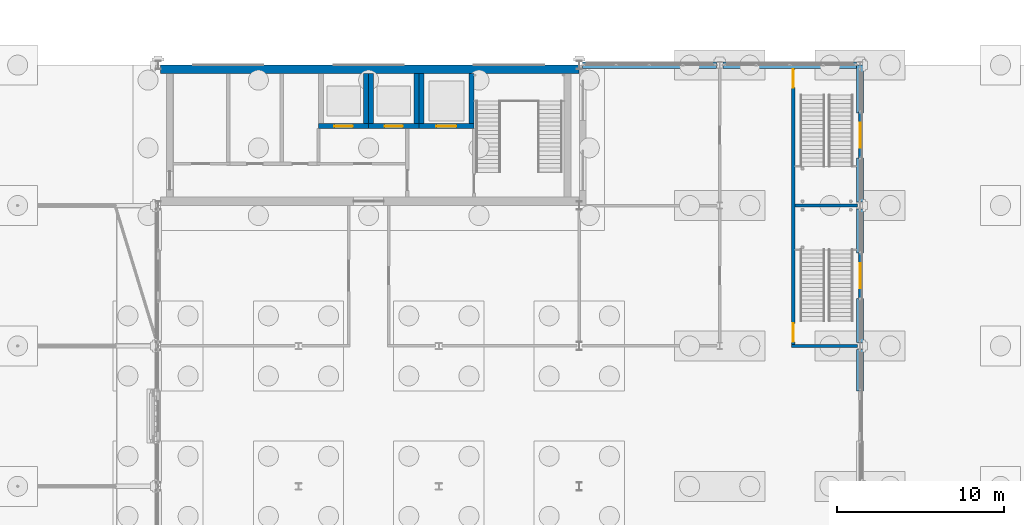
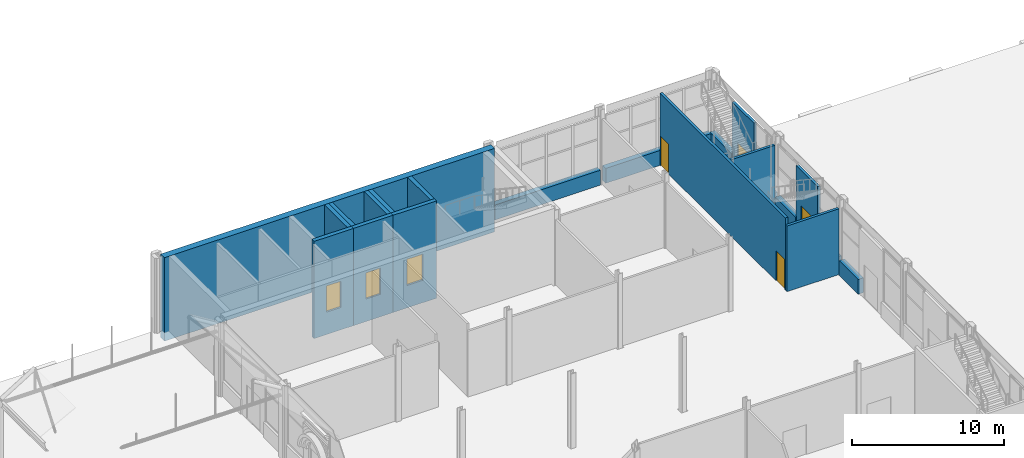
# One storey, part 191 of 212: 21 walls, 7 doors, 7 openings.
"""IFC4 building model written with IfcOpenShell, lengths in metres."""

from ifc_helpers import new_model, si_unit, direction, frame, frame_2d, origin, place, context, subcontext, project, spatial, rectangle, extrude, material, layer, layer_set, type_object, element, fill, save


model = new_model("IFC4")

# Units and contexts
model_context = context("Model", 3, precision=1e-05, world=origin(), true_north=direction((0.0, 1.0)))
body_context = subcontext(model_context, "Body", "Model", "MODEL_VIEW")
ifc_project = project(units=[si_unit("LENGTHUNIT", "METRE"), si_unit("AREAUNIT", "SQUARE_METRE"), si_unit("VOLUMEUNIT", "CUBIC_METRE"), si_unit("PLANEANGLEUNIT", "RADIAN"), si_unit("MASSUNIT", "GRAM", prefix="KILO")], contexts=[model_context])

# Site, building, storey
site_placement = place(None, origin())
site = spatial("IfcSite", under=ifc_project, at=site_placement, CompositionType="ELEMENT")
building_placement = place(site_placement, origin())
building = spatial("IfcBuilding", under=site, at=building_placement, Name="Catenary Quay Ferry Terminal", CompositionType="ELEMENT")
storey_placement = place(building_placement, origin())
storey = spatial("IfcBuildingStorey", under=building, at=storey_placement, Name="L00", CompositionType="ELEMENT", Elevation=0.0)

# Walls
ifc_material_1 = material(Name="Concrete C50/60", Category="concrete")
ifc_layer_1 = layer(ifc_material_1, 0.5)
ifc_layer_set_1 = layer_set([ifc_layer_1], Name="Core wall 500")
wall_type_1 = type_object("IfcWallType", Name="Core wall 500", PredefinedType="SHEAR", material=ifc_layer_set_1)
wall_1_placement = place(storey_placement, frame((25.35009765625, 209.75, -0.699951171875), z_axis=(0.0, 0.0, 1.0), x_axis=(1.0, 0.0, 0.0)))
element("IfcWall", 1, at=wall_1_placement, inside=storey, type_object=wall_type_1, Name="Core wall N2", PredefinedType="SHEAR", context=body_context, shape_type="SweptSolid", body=[
    extrude(rectangle(XDim=25.04296875, YDim=0.5, at=frame_2d((12.521484375, 0.0))), origin(), (0.0, 0.0, 1.0), 6.699951171875),
])
ifc_material_2 = material(Name="Masonry and insulation", Category="masonry")
ifc_layer_2 = layer(ifc_material_2, 0.39990234375)
ifc_layer_set_2 = layer_set([ifc_layer_2], Name="EW14")
wall_type_2 = type_object("IfcWallType", Name="EW14", PredefinedType="SOLIDWALL", material=ifc_layer_set_2)
wall_2_placement = place(storey_placement, frame((67.199951171875, 190.5, 0.0), z_axis=(0.0, 0.0, 1.0), x_axis=(0.0, 1.0, 0.0)))
element("IfcWall", 2, at=wall_2_placement, inside=storey, type_object=wall_type_2, Name="Plinth wing wall WL42", PredefinedType="SOLIDWALL", context=body_context, shape_type="SweptSolid", body=[
    extrude(rectangle(XDim=2.5, YDim=0.39990234375, at=frame_2d((1.25, 0.0))), origin(), (0.0, 0.0, 1.0), 1.199951171875),
])
wall_3_placement = place(storey_placement, frame((67.199951171875, 193.39990234375, 0.0), z_axis=(0.0, 0.0, 1.0), x_axis=(0.0, 1.0, 0.0)))
element("IfcWall", 3, at=wall_3_placement, inside=storey, type_object=wall_type_2, Name="Plinth wing wall WL44", PredefinedType="SOLIDWALL", context=body_context, shape_type="SweptSolid", body=[
    extrude(rectangle(XDim=2.650146484375, YDim=0.39990234375, at=frame_2d((1.3251953125, 0.0))), origin(), (0.0, 0.0, 1.0), 1.199951171875),
])
for number, where, z_axis, x_axis, name in (
    (4, (67.199951171875, 198.75, 0.0), (0.0, 0.0, 1.0), (0.0, 1.0, 0.0), "Plinth wing wall WL45"),
    (5, (67.199951171875, 201.800048828125, 0.0), (0.0, 0.0, 1.0), (0.0, 1.0, 0.0), "Plinth wing wall WL47"),
):
    element("IfcWall", number, at=place(storey_placement, frame(where, z_axis=z_axis, x_axis=x_axis)), inside=storey, type_object=wall_type_2, Name=name, PredefinedType="SOLIDWALL", context=body_context, shape_type="SweptSolid", body=[
        extrude(rectangle(XDim=2.64990234375, YDim=0.39990234375, at=frame_2d((1.324951171875, 0.0))), origin(), (0.0, 0.0, 1.0), 1.199951171875),
    ])
wall_4_placement = place(storey_placement, frame((67.199951171875, 207.14990234375, 0.0), z_axis=(0.0, 0.0, 1.0), x_axis=(0.0, 1.0, 0.0)))
element("IfcWall", 6, at=wall_4_placement, inside=storey, type_object=wall_type_2, Name="Plinth wing wall WL48", PredefinedType="SOLIDWALL", context=body_context, shape_type="SweptSolid", body=[
    extrude(rectangle(XDim=2.85009765625, YDim=0.39990234375, at=frame_2d((1.425048828125, 0.0))), origin(), (0.0, 0.0, 1.0), 1.199951171875),
])
for number, where, z_axis, x_axis, name in (
    (7, (50.60009765625, 210.0, 0.0), (0.0, 0.0, 1.0), (1.0, 0.0, 0.0), "Plinth wing wall WL50"),
    (8, (59.0, 210.0, 0.0), (0.0, 0.0, 1.0), (1.0, 0.0, 0.0), "Plinth wing wall WL51"),
):
    element("IfcWall", number, at=place(storey_placement, frame(where, z_axis=z_axis, x_axis=x_axis)), inside=storey, type_object=wall_type_2, Name=name, PredefinedType="SOLIDWALL", context=body_context, shape_type="SweptSolid", body=[
        extrude(rectangle(XDim=8.0, YDim=0.39990234375, at=frame_2d((4.0, 0.0))), origin(), (0.0, 0.0, 1.0), 1.199951171875),
    ])

# Wall, opening, door
ifc_material_3 = material(Name="Masonry and insulation", Category="masonry")
ifc_layer_3 = layer(ifc_material_3, 0.199951171875)
ifc_layer_set_3 = layer_set([ifc_layer_3], Name="EW6")
wall_type_3 = type_object("IfcWallType", Name="EW6", PredefinedType="SOLIDWALL", material=ifc_layer_set_3)
wall_5_placement = place(storey_placement, frame((67.199951171875, 195.985107421875, 0.0), z_axis=(0.0, 0.0, 1.0), x_axis=(0.0, 1.0, 0.0)))
wall_5 = element("IfcWall", 9, at=wall_5_placement, inside=storey, type_object=wall_type_3, Name="Front wing wall WL46", PredefinedType="SOLIDWALL", context=body_context, shape_type="SweptSolid", body=[
    extrude(rectangle(XDim=2.829833984375, YDim=0.199951171875, at=frame_2d((1.4150390625, 0.0))), origin(), (0.0, 0.0, 1.0), 5.271728515625),
])
opening_1_placement = place(wall_5_placement, frame((0.6650390625, 0.0, 0.0)))
opening_1 = element("IfcOpeningElement", 10, at=opening_1_placement, cuts=wall_5, Name="Opening D18", PredefinedType="OPENING", context=body_context, shape_type="SweptSolid", body=[
    extrude(rectangle(XDim=1.5, YDim=2.39990234375, at=frame_2d((0.75, 1.199951171875))), frame((0.0, 0.10986328125, 0.0), z_axis=(0.0, -1.0, 0.0), x_axis=(1.0, 0.0, 0.0)), (0.0, 0.0, 1.0), 0.219970703125),
])
ifc_material_4 = material(Name="Steel", Category="steel")
door_type_1 = type_object("IfcDoorType", Name="DXE1500", OperationType="SINGLE_SWING_LEFT", PredefinedType="DOOR", material=ifc_material_4)
door_1_placement = place(opening_1_placement, frame((1.5, 0.0, 0.0), z_axis=(0.0, 0.0, 1.0), x_axis=(-1.0, 0.0, 0.0)))
door_1 = element("IfcDoor", 11, at=door_1_placement, inside=storey, type_object=door_type_1, Name="Front wing door D18", OperationType="SINGLE_SWING_RIGHT", OverallHeight=2.39990234375, OverallWidth=1.5, PredefinedType="DOOR", context=body_context, shape_type="SweptSolid", body=[
    extrude(rectangle(XDim=1.5, YDim=2.39990234375, at=frame_2d((0.75, 1.199951171875))), frame((0.0, 0.02490234375, 0.0), z_axis=(0.0, -1.0, 0.0), x_axis=(1.0, 0.0, 0.0)), (0.0, 0.0, 1.0), 0.050048828125),
])
fill(opening_1, door_1)

wall_6_placement = place(storey_placement, frame((67.199951171875, 204.385009765625, 0.0), z_axis=(0.0, 0.0, 1.0), x_axis=(0.0, 1.0, 0.0)))
wall_6 = element("IfcWall", 12, at=wall_6_placement, inside=storey, type_object=wall_type_3, Name="Front wing wall WL49", PredefinedType="SOLIDWALL", context=body_context, shape_type="SweptSolid", body=[
    extrude(rectangle(XDim=2.830078125, YDim=0.199951171875, at=frame_2d((1.4150390625, 0.0))), origin(), (0.0, 0.0, 1.0), 5.271728515625),
])
opening_2_placement = place(wall_6_placement, frame((0.6650390625, 0.0, 0.0)))
opening_2 = element("IfcOpeningElement", 13, at=opening_2_placement, cuts=wall_6, Name="Opening D19", PredefinedType="OPENING", context=body_context, shape_type="SweptSolid", body=[
    extrude(rectangle(XDim=1.5, YDim=2.39990234375, at=frame_2d((0.75, 1.199951171875))), frame((0.0, 0.10986328125, 0.0), z_axis=(0.0, -1.0, 0.0), x_axis=(1.0, 0.0, 0.0)), (0.0, 0.0, 1.0), 0.219970703125),
])
door_2_placement = place(opening_2_placement, frame((1.5, 0.0, 0.0), z_axis=(0.0, 0.0, 1.0), x_axis=(-1.0, 0.0, 0.0)))
door_2 = element("IfcDoor", 14, at=door_2_placement, inside=storey, type_object=door_type_1, Name="Front wing door D19", OperationType="SINGLE_SWING_RIGHT", OverallHeight=2.39990234375, OverallWidth=1.5, PredefinedType="DOOR", context=body_context, shape_type="SweptSolid", body=[
    extrude(rectangle(XDim=1.5, YDim=2.39990234375, at=frame_2d((0.75, 1.199951171875))), frame((0.0, 0.02490234375, 0.0), z_axis=(0.0, -1.0, 0.0), x_axis=(1.0, 0.0, 0.0)), (0.0, 0.0, 1.0), 0.050048828125),
])
fill(opening_2, door_2)

# Walls
ifc_material_5 = material(Name="Concrete C35/45", Category="concrete")
ifc_layer_4 = layer(ifc_material_5, 0.199951171875)
ifc_layer_set_4 = layer_set([ifc_layer_4], Name="IP12")
wall_type_4 = type_object("IfcWallType", Name="IP12", PredefinedType="PARTITIONING", material=ifc_layer_set_4)
wall_7_placement = place(storey_placement, frame((63.10009765625, 193.199951171875, 0.0), z_axis=(0.0, 0.0, 1.0), x_axis=(1.0, 0.0, 0.0)))
element("IfcWall", 15, at=wall_7_placement, inside=storey, type_object=wall_type_4, Name="Stair wall L00 59", PredefinedType="PARTITIONING", context=body_context, shape_type="SweptSolid", body=[
    extrude(rectangle(XDim=3.949951171875, YDim=0.199951171875, at=frame_2d((1.97509765625, 0.0))), origin(), (0.0, 0.0, 1.0), 5.271728515625),
])
wall_8_placement = place(storey_placement, frame((63.300048828125, 201.60009765625, 0.0), z_axis=(0.0, 0.0, 1.0), x_axis=(1.0, 0.0, 0.0)))
element("IfcWall", 16, at=wall_8_placement, inside=storey, type_object=wall_type_4, Name="Stair wall L00 61", PredefinedType="PARTITIONING", context=body_context, shape_type="SweptSolid", body=[
    extrude(rectangle(XDim=3.75, YDim=0.199951171875, at=frame_2d((1.875, 0.0))), origin(), (0.0, 0.0, 1.0), 5.271728515625),
])

# Wall, openings, doors
wall_9_placement = place(storey_placement, frame((63.199951171875, 193.300048828125, 0.0), z_axis=(0.0, 0.0, 1.0), x_axis=(0.0, 1.0, 0.0)))
wall_9 = element("IfcWall", 17, at=wall_9_placement, inside=storey, type_object=wall_type_4, Name="Stair wall L00 106", PredefinedType="PARTITIONING", context=body_context, shape_type="SweptSolid", body=[
    extrude(rectangle(XDim=16.5, YDim=0.199951171875, at=frame_2d((8.25, 0.0))), origin(), (0.0, 0.0, 1.0), 5.800048828125),
])
opening_3_placement = place(wall_9_placement, frame((0.14990234375, 0.0, 0.0)))
opening_3 = element("IfcOpeningElement", 18, at=opening_3_placement, cuts=wall_9, Name="Opening D101", PredefinedType="OPENING", context=body_context, shape_type="SweptSolid", body=[
    extrude(rectangle(XDim=1.10009765625, YDim=2.39990234375, at=frame_2d((0.550048828125, 1.199951171875))), frame((0.0, 0.10986328125, 0.0), z_axis=(0.0, -1.0, 0.0), x_axis=(1.0, 0.0, 0.0)), (0.0, 0.0, 1.0), 0.219970703125),
])
opening_4_placement = place(wall_9_placement, frame((15.35009765625, 0.0, 0.0)))
opening_4 = element("IfcOpeningElement", 19, at=opening_4_placement, cuts=wall_9, Name="Opening D102", PredefinedType="OPENING", context=body_context, shape_type="SweptSolid", body=[
    extrude(rectangle(XDim=1.10009765625, YDim=2.39990234375, at=frame_2d((0.550048828125, 1.199951171875))), frame((0.0, 0.10986328125, 0.0), z_axis=(0.0, -1.0, 0.0), x_axis=(1.0, 0.0, 0.0)), (0.0, 0.0, 1.0), 0.219970703125),
])
ifc_material_6 = material(Name="Steel", Category="steel")
door_type_2 = type_object("IfcDoorType", Name="DI4", OperationType="SINGLE_SWING_LEFT", PredefinedType="DOOR", material=ifc_material_6)
door_3_placement = place(opening_3_placement, frame((1.10009765625, 0.0, 0.0), z_axis=(0.0, 0.0, 1.0), x_axis=(-1.0, 0.0, 0.0)))
door_3 = element("IfcDoor", 20, at=door_3_placement, inside=storey, type_object=door_type_2, Name="Stair HS4 to East Passage", OperationType="SINGLE_SWING_RIGHT", OverallHeight=2.39990234375, OverallWidth=1.10009765625, PredefinedType="DOOR", context=body_context, shape_type="SweptSolid", body=[
    extrude(rectangle(XDim=1.10009765625, YDim=2.39990234375, at=frame_2d((0.550048828125, 1.199951171875))), frame((0.0, 0.02490234375, 0.0), z_axis=(0.0, -1.0, 0.0), x_axis=(1.0, 0.0, 0.0)), (0.0, 0.0, 1.0), 0.050048828125),
])
fill(opening_3, door_3)
door_4_placement = place(opening_4_placement, frame((1.10009765625, 0.0, 0.0), z_axis=(0.0, 0.0, 1.0), x_axis=(-1.0, 0.0, 0.0)))
door_4 = element("IfcDoor", 21, at=door_4_placement, inside=storey, type_object=door_type_2, Name="Stair HS5 to East Passage", OperationType="SINGLE_SWING_LEFT", OverallHeight=2.39990234375, OverallWidth=1.10009765625, PredefinedType="DOOR", context=body_context, shape_type="SweptSolid", body=[
    extrude(rectangle(XDim=1.10009765625, YDim=2.39990234375, at=frame_2d((0.550048828125, 1.199951171875))), frame((0.0, 0.02490234375, 0.0), z_axis=(0.0, -1.0, 0.0), x_axis=(1.0, 0.0, 0.0)), (0.0, 0.0, 1.0), 0.050048828125),
])
fill(opening_4, door_4)

# Wall, opening, door
ifc_material_7 = material(Name="Concrete C50/60", Category="concrete")
ifc_layer_5 = layer(ifc_material_7, 0.300048828125)
ifc_layer_set_5 = layer_set([ifc_layer_5], Name="Shaft wall 300")
wall_type_5 = type_object("IfcWallType", Name="Shaft wall 300", PredefinedType="SHEAR", material=ifc_layer_set_5)
wall_10_placement = place(storey_placement, frame((40.800048828125, 206.35009765625, -1.800048828125), z_axis=(0.0, 0.0, 1.0), x_axis=(1.0, 0.0, 0.0)))
wall_10 = element("IfcWall", 22, at=wall_10_placement, inside=storey, type_object=wall_type_5, Name="Shaft wall FL2 S", PredefinedType="SHEAR", context=body_context, shape_type="SweptSolid", body=[
    extrude(rectangle(XDim=3.300048828125, YDim=0.300048828125, at=frame_2d((1.64990234375, 0.0))), origin(), (0.0, 0.0, 1.0), 7.800048828125),
])
opening_5_placement = place(wall_10_placement, frame((1.050048828125, 0.0, 1.800048828125)))
opening_5 = element("IfcOpeningElement", 23, at=opening_5_placement, cuts=wall_10, Name="Opening LD10", PredefinedType="OPENING", context=body_context, shape_type="SweptSolid", body=[
    extrude(rectangle(XDim=1.199951171875, YDim=2.10009765625, at=frame_2d((0.60009765625, 1.050048828125))), frame((0.0, 0.159912109375, 0.0), z_axis=(0.0, -1.0, 0.0), x_axis=(1.0, 0.0, 0.0)), (0.0, 0.0, 1.0), 0.320068359375),
])
ifc_material_8 = material(Name="Stainless steel", Category="steel")
door_type_3 = type_object("IfcDoorType", Name="DL2", OperationType="SLIDING_TO_LEFT", PredefinedType="DOOR", material=ifc_material_8)
door_5_placement = place(opening_5_placement, origin())
door_5 = element("IfcDoor", 24, at=door_5_placement, inside=storey, type_object=door_type_3, Name="Lift FL2 landing door L00", OperationType="SLIDING_TO_LEFT", OverallHeight=2.10009765625, OverallWidth=1.199951171875, PredefinedType="DOOR", context=body_context, shape_type="SweptSolid", body=[
    extrude(rectangle(XDim=1.199951171875, YDim=2.10009765625, at=frame_2d((0.60009765625, 1.050048828125))), frame((0.0, 0.02490234375, 0.0), z_axis=(0.0, -1.0, 0.0), x_axis=(1.0, 0.0, 0.0)), (0.0, 0.0, 1.0), 0.050048828125),
])
fill(opening_5, door_5)

# Walls
for number, where, z_axis, x_axis, name in (
    (25, (43.949951171875, 206.5, -1.800048828125), (0.0, 0.0, 1.0), (0.0, 1.0, 0.0), "Shaft wall FL2 E"),
    (26, (40.949951171875, 206.5, -1.800048828125), (0.0, 0.0, 1.0), (0.0, 1.0, 0.0), "Shaft wall FL2 W"),
):
    element("IfcWall", number, at=place(storey_placement, frame(where, z_axis=z_axis, x_axis=x_axis)), inside=storey, type_object=wall_type_5, Name=name, PredefinedType="SHEAR", context=body_context, shape_type="SweptSolid", body=[
        extrude(rectangle(XDim=3.0, YDim=0.300048828125, at=frame_2d((1.5, 0.0))), origin(), (0.0, 0.0, 1.0), 7.800048828125),
    ])

# Wall, opening, door
wall_11_placement = place(storey_placement, frame((37.800048828125, 206.35009765625, -1.800048828125), z_axis=(0.0, 0.0, 1.0), x_axis=(1.0, 0.0, 0.0)))
wall_11 = element("IfcWall", 27, at=wall_11_placement, inside=storey, type_object=wall_type_5, Name="Shaft wall GL3 S", PredefinedType="SHEAR", context=body_context, shape_type="SweptSolid", body=[
    extrude(rectangle(XDim=3.0, YDim=0.300048828125, at=frame_2d((1.5, 0.0))), origin(), (0.0, 0.0, 1.0), 7.800048828125),
])
opening_6_placement = place(wall_11_placement, frame((0.949951171875, 0.0, 1.800048828125)))
opening_6 = element("IfcOpeningElement", 28, at=opening_6_placement, cuts=wall_11, Name="Opening LD25", PredefinedType="OPENING", context=body_context, shape_type="SweptSolid", body=[
    extrude(rectangle(XDim=1.10009765625, YDim=2.10009765625, at=frame_2d((0.550048828125, 1.050048828125))), frame((0.0, 0.159912109375, 0.0), z_axis=(0.0, -1.0, 0.0), x_axis=(1.0, 0.0, 0.0)), (0.0, 0.0, 1.0), 0.320068359375),
])
ifc_material_9 = material(Name="Stainless steel", Category="steel")
door_type_4 = type_object("IfcDoorType", Name="DL1", OperationType="SLIDING_TO_LEFT", PredefinedType="DOOR", material=ifc_material_9)
door_6_placement = place(opening_6_placement, origin())
door_6 = element("IfcDoor", 29, at=door_6_placement, inside=storey, type_object=door_type_4, Name="Lift GL3 landing door L00", OperationType="SLIDING_TO_LEFT", OverallHeight=2.10009765625, OverallWidth=1.10009765625, PredefinedType="DOOR", context=body_context, shape_type="SweptSolid", body=[
    extrude(rectangle(XDim=1.10009765625, YDim=2.10009765625, at=frame_2d((0.550048828125, 1.050048828125))), frame((0.0, 0.02490234375, 0.0), z_axis=(0.0, -1.0, 0.0), x_axis=(1.0, 0.0, 0.0)), (0.0, 0.0, 1.0), 0.050048828125),
])
fill(opening_6, door_6)

# Walls
for number, where, z_axis, x_axis, name in (
    (30, (40.64990234375, 206.5, -1.800048828125), (0.0, 0.0, 1.0), (0.0, 1.0, 0.0), "Shaft wall GL3 E"),
    (31, (37.949951171875, 206.5, -1.800048828125), (0.0, 0.0, 1.0), (0.0, 1.0, 0.0), "Shaft wall GL3 W"),
):
    element("IfcWall", number, at=place(storey_placement, frame(where, z_axis=z_axis, x_axis=x_axis)), inside=storey, type_object=wall_type_5, Name=name, PredefinedType="SHEAR", context=body_context, shape_type="SweptSolid", body=[
        extrude(rectangle(XDim=3.0, YDim=0.300048828125, at=frame_2d((1.5, 0.0))), origin(), (0.0, 0.0, 1.0), 7.800048828125),
    ])

# Wall, opening, door
wall_12_placement = place(storey_placement, frame((34.800048828125, 206.35009765625, -1.800048828125), z_axis=(0.0, 0.0, 1.0), x_axis=(1.0, 0.0, 0.0)))
wall_12 = element("IfcWall", 32, at=wall_12_placement, inside=storey, type_object=wall_type_5, Name="Shaft wall GL4 S", PredefinedType="SHEAR", context=body_context, shape_type="SweptSolid", body=[
    extrude(rectangle(XDim=3.0, YDim=0.300048828125, at=frame_2d((1.5, 0.0))), origin(), (0.0, 0.0, 1.0), 7.800048828125),
])
opening_7_placement = place(wall_12_placement, frame((0.949951171875, 0.0, 1.800048828125)))
opening_7 = element("IfcOpeningElement", 33, at=opening_7_placement, cuts=wall_12, Name="Opening LD30", PredefinedType="OPENING", context=body_context, shape_type="SweptSolid", body=[
    extrude(rectangle(XDim=1.10009765625, YDim=2.10009765625, at=frame_2d((0.550048828125, 1.050048828125))), frame((0.0, 0.159912109375, 0.0), z_axis=(0.0, -1.0, 0.0), x_axis=(1.0, 0.0, 0.0)), (0.0, 0.0, 1.0), 0.320068359375),
])
door_7_placement = place(opening_7_placement, origin())
door_7 = element("IfcDoor", 34, at=door_7_placement, inside=storey, type_object=door_type_4, Name="Lift GL4 landing door L00", OperationType="SLIDING_TO_LEFT", OverallHeight=2.10009765625, OverallWidth=1.10009765625, PredefinedType="DOOR", context=body_context, shape_type="SweptSolid", body=[
    extrude(rectangle(XDim=1.10009765625, YDim=2.10009765625, at=frame_2d((0.550048828125, 1.050048828125))), frame((0.0, 0.02490234375, 0.0), z_axis=(0.0, -1.0, 0.0), x_axis=(1.0, 0.0, 0.0)), (0.0, 0.0, 1.0), 0.050048828125),
])
fill(opening_7, door_7)

# Wall
wall_13_placement = place(storey_placement, frame((37.64990234375, 206.5, -1.800048828125), z_axis=(0.0, 0.0, 1.0), x_axis=(0.0, 1.0, 0.0)))
element("IfcWall", 35, at=wall_13_placement, inside=storey, type_object=wall_type_5, Name="Shaft wall GL4 E", PredefinedType="SHEAR", context=body_context, shape_type="SweptSolid", body=[
    extrude(rectangle(XDim=3.0, YDim=0.300048828125, at=frame_2d((1.5, 0.0))), origin(), (0.0, 0.0, 1.0), 7.800048828125),
])

save(model, "model.ifc")
